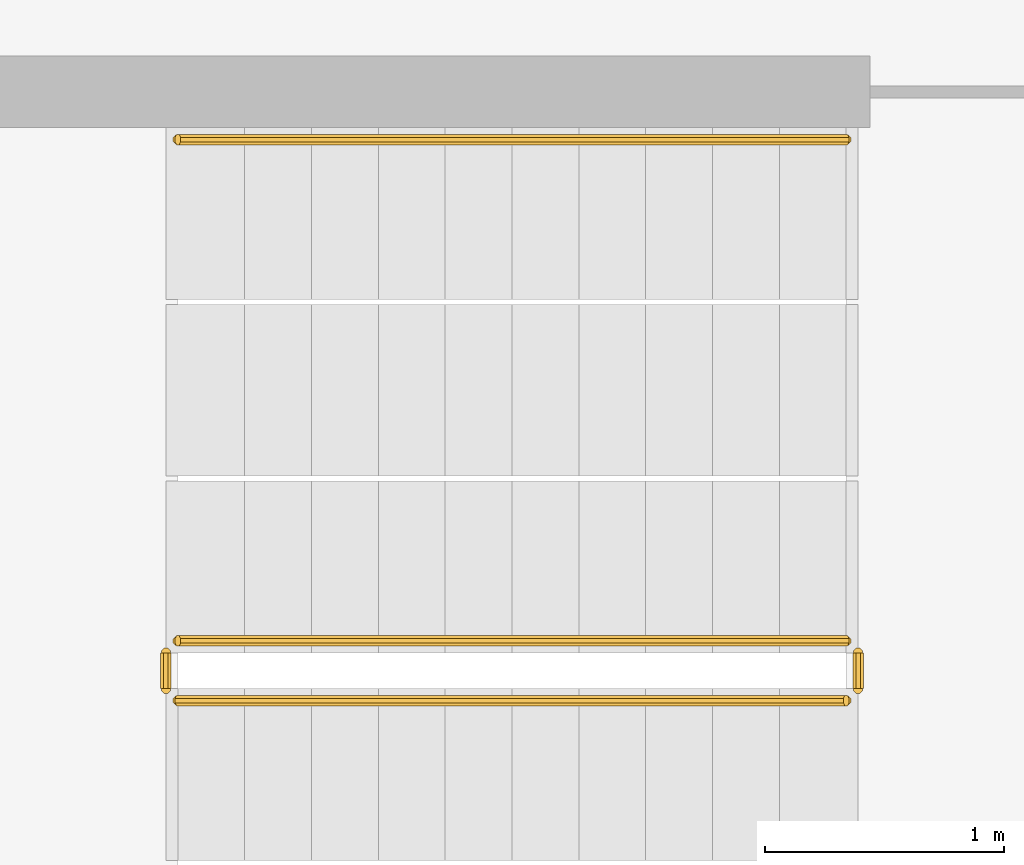
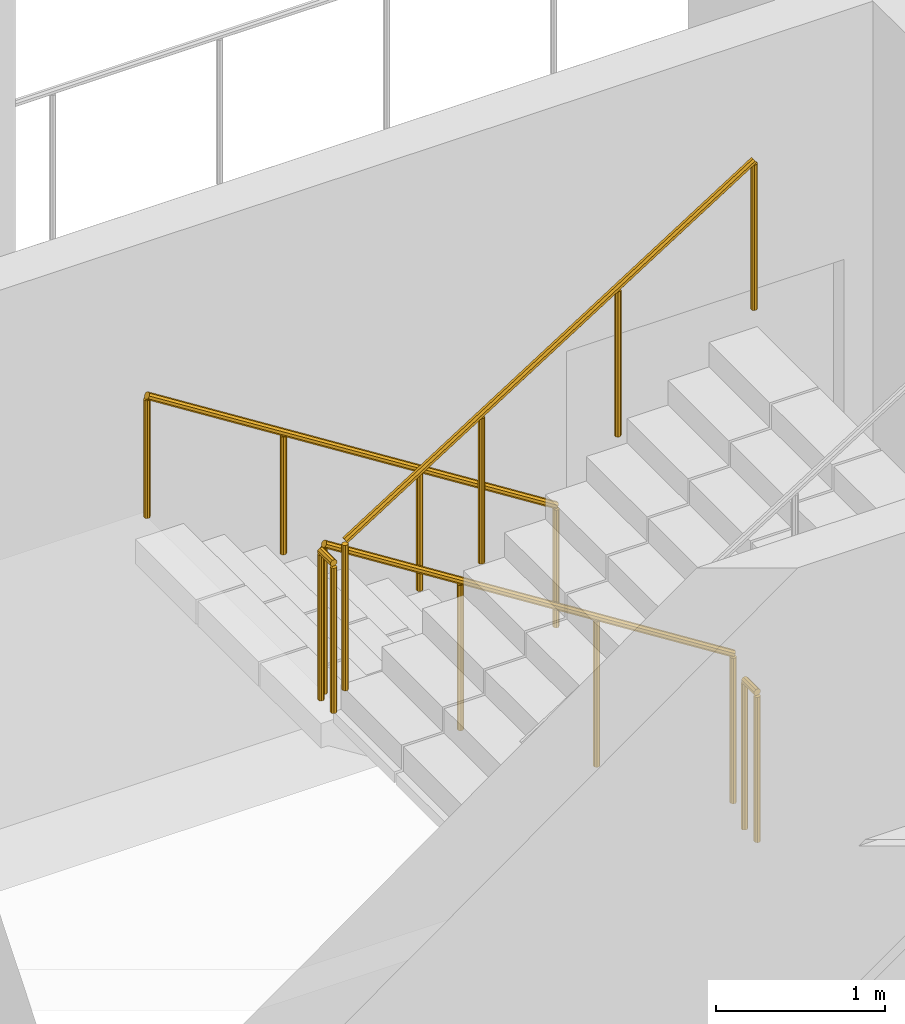
# One storey, part 23 of 31: 5 railings.
"""IFC4 building model written with IfcOpenShell, lengths in metres."""

from ifc_helpers import new_model, si_unit, direction, frame, origin, place, context, subcontext, project, spatial, polyline, outline, extrude, material, type_object, element, save


model = new_model("IFC4")

# Units and contexts
model_context = context("Model", 3, precision=1e-05, world=origin(), true_north=direction((0.0, 1.0)))
body_context = subcontext(model_context, "Body", "Model", "MODEL_VIEW")
ifc_project = project(units=[si_unit("LENGTHUNIT", "METRE"), si_unit("AREAUNIT", "SQUARE_METRE"), si_unit("VOLUMEUNIT", "CUBIC_METRE"), si_unit("PLANEANGLEUNIT", "RADIAN"), si_unit("MASSUNIT", "GRAM", prefix="KILO")], contexts=[model_context])

# Site, building, storey
site_placement = place(None, origin())
site = spatial("IfcSite", under=ifc_project, at=site_placement, CompositionType="ELEMENT")
building_placement = place(site_placement, origin())
building = spatial("IfcBuilding", under=site, at=building_placement, Name="Cormorant Relay Tower", CompositionType="ELEMENT")
storey_placement = place(building_placement, frame((0.0, 0.0, 189.60009765625)))
storey = spatial("IfcBuildingStorey", under=building, at=storey_placement, Name="L40", CompositionType="ELEMENT", Elevation=189.60009765625)

# Railings
ifc_material_1 = material(Name="Steel ASTM A572 Grade 50 (Fy 345 MPa)", Category="steel")
railing_type_1 = type_object("IfcRailingType", Name="Stair guard 1100", PredefinedType="GUARDRAIL", material=ifc_material_1)
railing_1_placement = place(storey_placement, frame((1.60009765625, -18.27490234375, 0.17724609375)))
element("IfcRailing", 1, at=railing_1_placement, inside=storey, type_object=railing_type_1, Name="L40 RK1 stair guard 1", PredefinedType="GUARDRAIL", context=body_context, shape_type="SweptSolid", body=[
    extrude(outline(polyline([(0.022216796875, 0.00927734375), (0.00927734375, 0.022216796875), (-0.00927734375, 0.022216796875), (-0.022216796875, 0.00927734375), (-0.022216796875, -0.00927734375), (-0.00927734375, -0.022216796875), (0.00927734375, -0.022216796875), (0.022216796875, -0.00927734375), (0.022216796875, 0.00927734375)])), frame((0.0, 0.0, 1.076171875), z_axis=(-0.844908973607, 0.0, 0.534910110503), x_axis=(0.0, -1.0, 0.0)), (0.0, 0.0, 1.0), 3.31396484375),
    extrude(outline(polyline([(0.019287109375, 0.008056640625), (0.008056640625, 0.019287109375), (-0.008056640625, 0.019287109375), (-0.019287109375, 0.008056640625), (-0.019287109375, -0.008056640625), (-0.008056640625, -0.019287109375), (0.008056640625, -0.019287109375), (0.019287109375, -0.008056640625), (0.019287109375, 0.008056640625)])), origin(), (0.0, 0.0, 1.0), 1.052001953125),
    extrude(outline(polyline([(0.019287109375, 0.008056640625), (0.008056640625, 0.019287109375), (-0.008056640625, 0.019287109375), (-0.019287109375, 0.008056640625), (-0.019287109375, -0.008056640625), (-0.008056640625, -0.019287109375), (0.008056640625, -0.019287109375), (0.019287109375, -0.008056640625), (0.019287109375, 0.008056640625)])), frame((-0.933349609375, 0.0, 0.5908203125)), (0.0, 0.0, 1.0), 1.052001953125),
    extrude(outline(polyline([(0.019287109375, 0.008056640625), (0.008056640625, 0.019287109375), (-0.008056640625, 0.019287109375), (-0.019287109375, 0.008056640625), (-0.019287109375, -0.008056640625), (-0.008056640625, -0.019287109375), (0.008056640625, -0.019287109375), (0.019287109375, -0.008056640625), (0.019287109375, 0.008056640625)])), frame((-1.86669921875, 0.0, 1.181884765625)), (0.0, 0.0, 1.0), 1.052001953125),
    extrude(outline(polyline([(0.019287109375, 0.008056640625), (0.008056640625, 0.019287109375), (-0.008056640625, 0.019287109375), (-0.019287109375, 0.008056640625), (-0.019287109375, -0.008056640625), (-0.008056640625, -0.019287109375), (0.008056640625, -0.019287109375), (0.019287109375, -0.008056640625), (0.019287109375, 0.008056640625)])), frame((-2.800048828125, 0.0, 1.772705078125)), (0.0, 0.0, 1.0), 1.052001953125),
])
railing_2_placement = place(storey_placement, frame((-1.25, -18.324951171875, 1.949951171875)))
element("IfcRailing", 2, at=railing_2_placement, inside=storey, type_object=railing_type_1, Name="L40 RK1 stair guard 2", PredefinedType="GUARDRAIL", context=body_context, shape_type="SweptSolid", body=[
    extrude(outline(polyline([(0.022216796875, 0.00927734375), (0.00927734375, 0.022216796875), (-0.00927734375, 0.022216796875), (-0.022216796875, 0.00927734375), (-0.022216796875, -0.00927734375), (-0.00927734375, -0.022216796875), (0.00927734375, -0.022216796875), (0.022216796875, -0.00927734375), (0.022216796875, 0.00927734375)])), frame((0.0, 0.0, 1.076171875), z_axis=(0.0, -1.0, 0.0), x_axis=(1.0, 0.0, 0.0)), (0.0, 0.0, 1.0), 0.150146484375),
    extrude(outline(polyline([(0.019287109375, 0.008056640625), (0.008056640625, 0.019287109375), (-0.008056640625, 0.019287109375), (-0.019287109375, 0.008056640625), (-0.019287109375, -0.008056640625), (-0.008056640625, -0.019287109375), (0.008056640625, -0.019287109375), (0.019287109375, -0.008056640625), (0.019287109375, 0.008056640625)])), origin(), (0.0, 0.0, 1.0), 1.052001953125),
    extrude(outline(polyline([(0.019287109375, 0.008056640625), (0.008056640625, 0.019287109375), (-0.008056640625, 0.019287109375), (-0.019287109375, 0.008056640625), (-0.019287109375, -0.008056640625), (-0.008056640625, -0.019287109375), (0.008056640625, -0.019287109375), (0.019287109375, -0.008056640625), (0.019287109375, 0.008056640625)])), frame((0.0, -0.150146484375, 0.0)), (0.0, 0.0, 1.0), 1.052001953125),
])
railing_3_placement = place(storey_placement, frame((-1.199951171875, -18.52490234375, 2.127197265625)))
element("IfcRailing", 3, at=railing_3_placement, inside=storey, type_object=railing_type_1, Name="L40 RK1 stair guard 3", PredefinedType="GUARDRAIL", context=body_context, shape_type="SweptSolid", body=[
    extrude(outline(polyline([(0.022216796875, 0.00927734375), (0.00927734375, 0.022216796875), (-0.00927734375, 0.022216796875), (-0.022216796875, 0.00927734375), (-0.022216796875, -0.00927734375), (-0.00927734375, -0.022216796875), (0.00927734375, -0.022216796875), (0.022216796875, -0.00927734375), (0.022216796875, 0.00927734375)])), frame((0.0, 0.0, 1.076171875), z_axis=(0.844908973607, 0.0, 0.534910110503), x_axis=(0.0, 1.0, 0.0)), (0.0, 0.0, 1.0), 3.31396484375),
    extrude(outline(polyline([(0.019287109375, 0.008056640625), (0.008056640625, 0.019287109375), (-0.008056640625, 0.019287109375), (-0.019287109375, 0.008056640625), (-0.019287109375, -0.008056640625), (-0.008056640625, -0.019287109375), (0.008056640625, -0.019287109375), (0.019287109375, -0.008056640625), (0.019287109375, 0.008056640625)])), origin(), (0.0, 0.0, 1.0), 1.052001953125),
    extrude(outline(polyline([(0.019287109375, 0.008056640625), (0.008056640625, 0.019287109375), (-0.008056640625, 0.019287109375), (-0.019287109375, 0.008056640625), (-0.019287109375, -0.008056640625), (-0.008056640625, -0.019287109375), (0.008056640625, -0.019287109375), (0.019287109375, -0.008056640625), (0.019287109375, 0.008056640625)])), frame((0.933349609375, 0.0, 0.5908203125)), (0.0, 0.0, 1.0), 1.052001953125),
    extrude(outline(polyline([(0.019287109375, 0.008056640625), (0.008056640625, 0.019287109375), (-0.008056640625, 0.019287109375), (-0.019287109375, 0.008056640625), (-0.019287109375, -0.008056640625), (-0.008056640625, -0.019287109375), (0.008056640625, -0.019287109375), (0.019287109375, -0.008056640625), (0.019287109375, 0.008056640625)])), frame((1.86669921875, 0.0, 1.181884765625)), (0.0, 0.0, 1.0), 1.052001953125),
    extrude(outline(polyline([(0.019287109375, 0.008056640625), (0.008056640625, 0.019287109375), (-0.008056640625, 0.019287109375), (-0.019287109375, 0.008056640625), (-0.019287109375, -0.008056640625), (-0.008056640625, -0.019287109375), (0.008056640625, -0.019287109375), (0.019287109375, -0.008056640625), (0.019287109375, 0.008056640625)])), frame((2.800048828125, 0.0, 1.772705078125)), (0.0, 0.0, 1.0), 1.052001953125),
])
railing_4_placement = place(storey_placement, frame((1.64990234375, -18.324951171875, 0.0)))
element("IfcRailing", 4, at=railing_4_placement, inside=storey, type_object=railing_type_1, Name="L40 RK1 stair guard 4", PredefinedType="GUARDRAIL", context=body_context, shape_type="SweptSolid", body=[
    extrude(outline(polyline([(0.022216796875, 0.00927734375), (0.00927734375, 0.022216796875), (-0.00927734375, 0.022216796875), (-0.022216796875, 0.00927734375), (-0.022216796875, -0.00927734375), (-0.00927734375, -0.022216796875), (0.00927734375, -0.022216796875), (0.022216796875, -0.00927734375), (0.022216796875, 0.00927734375)])), frame((0.0, 0.0, 1.076171875), z_axis=(0.0, -1.0, 0.0), x_axis=(1.0, 0.0, 0.0)), (0.0, 0.0, 1.0), 0.150146484375),
    extrude(outline(polyline([(0.019287109375, 0.008056640625), (0.008056640625, 0.019287109375), (-0.008056640625, 0.019287109375), (-0.019287109375, 0.008056640625), (-0.019287109375, -0.008056640625), (-0.008056640625, -0.019287109375), (0.008056640625, -0.019287109375), (0.019287109375, -0.008056640625), (0.019287109375, 0.008056640625)])), origin(), (0.0, 0.0, 1.0), 1.052001953125),
    extrude(outline(polyline([(0.019287109375, 0.008056640625), (0.008056640625, 0.019287109375), (-0.008056640625, 0.019287109375), (-0.019287109375, 0.008056640625), (-0.019287109375, -0.008056640625), (-0.008056640625, -0.019287109375), (0.008056640625, -0.019287109375), (0.019287109375, -0.008056640625), (0.019287109375, 0.008056640625)])), frame((0.0, -0.150146484375, 0.0)), (0.0, 0.0, 1.0), 1.052001953125),
])
ifc_material_2 = material(Name="Steel ASTM A572 Grade 50 (Fy 345 MPa)", Category="steel")
railing_type_2 = type_object("IfcRailingType", Name="Stair handrail 900", PredefinedType="HANDRAIL", material=ifc_material_2)
railing_5_placement = place(storey_placement, frame((1.60009765625, -16.175048828125, 0.17724609375)))
element("IfcRailing", 5, at=railing_5_placement, inside=storey, type_object=railing_type_2, Name="L40 RK1 stair handrail 1", PredefinedType="HANDRAIL", context=body_context, shape_type="SweptSolid", body=[
    extrude(outline(polyline([(0.022216796875, 0.00927734375), (0.00927734375, 0.022216796875), (-0.00927734375, 0.022216796875), (-0.022216796875, 0.00927734375), (-0.022216796875, -0.00927734375), (-0.00927734375, -0.022216796875), (0.00927734375, -0.022216796875), (0.022216796875, -0.00927734375), (0.022216796875, 0.00927734375)])), frame((0.0, 0.0, 0.8759765625), z_axis=(-0.844908973607, 0.0, 0.534910110503), x_axis=(0.0, -1.0, 0.0)), (0.0, 0.0, 1.0), 3.31396484375),
    extrude(outline(polyline([(0.019287109375, 0.008056640625), (0.008056640625, 0.019287109375), (-0.008056640625, 0.019287109375), (-0.019287109375, 0.008056640625), (-0.019287109375, -0.008056640625), (-0.008056640625, -0.019287109375), (0.008056640625, -0.019287109375), (0.019287109375, -0.008056640625), (0.019287109375, 0.008056640625)])), origin(), (0.0, 0.0, 1.0), 0.851806640625),
    extrude(outline(polyline([(0.019287109375, 0.008056640625), (0.008056640625, 0.019287109375), (-0.008056640625, 0.019287109375), (-0.019287109375, 0.008056640625), (-0.019287109375, -0.008056640625), (-0.008056640625, -0.019287109375), (0.008056640625, -0.019287109375), (0.019287109375, -0.008056640625), (0.019287109375, 0.008056640625)])), frame((-0.933349609375, 0.0, 0.5908203125)), (0.0, 0.0, 1.0), 0.851806640625),
    extrude(outline(polyline([(0.019287109375, 0.008056640625), (0.008056640625, 0.019287109375), (-0.008056640625, 0.019287109375), (-0.019287109375, 0.008056640625), (-0.019287109375, -0.008056640625), (-0.008056640625, -0.019287109375), (0.008056640625, -0.019287109375), (0.019287109375, -0.008056640625), (0.019287109375, 0.008056640625)])), frame((-1.86669921875, 0.0, 1.181884765625)), (0.0, 0.0, 1.0), 0.851806640625),
    extrude(outline(polyline([(0.019287109375, 0.008056640625), (0.008056640625, 0.019287109375), (-0.008056640625, 0.019287109375), (-0.019287109375, 0.008056640625), (-0.019287109375, -0.008056640625), (-0.008056640625, -0.019287109375), (0.008056640625, -0.019287109375), (0.019287109375, -0.008056640625), (0.019287109375, 0.008056640625)])), frame((-2.800048828125, 0.0, 1.772705078125)), (0.0, 0.0, 1.0), 0.851806640625),
])

save(model, "model.ifc")
